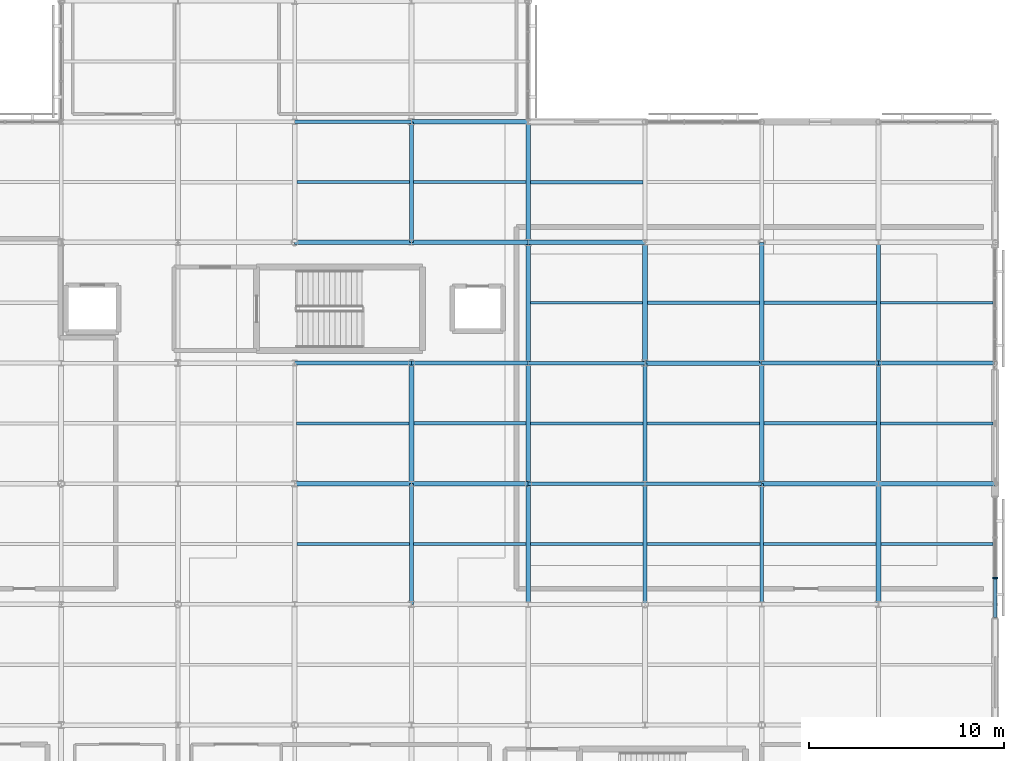
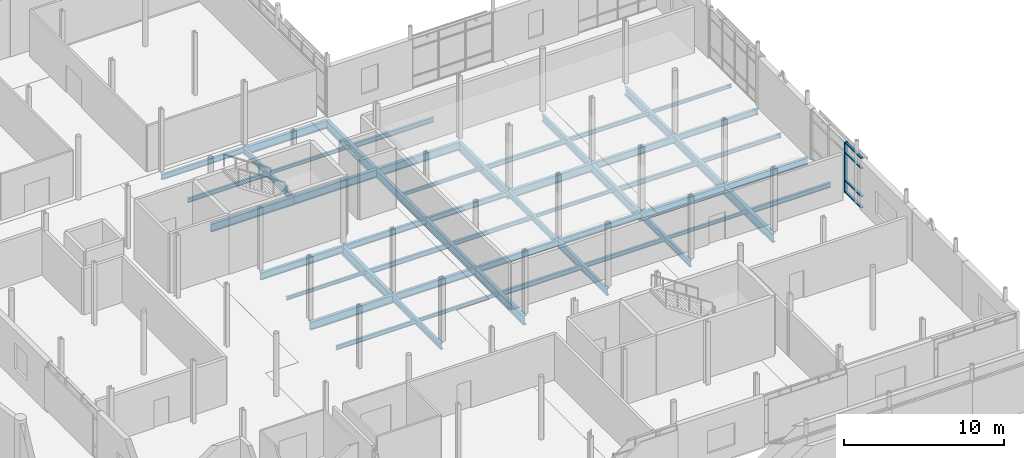
# One storey, part 44 of 84: 52 beams, 5 members, 1 element without a shape of its own.
"""IFC4 building model written with IfcOpenShell, lengths in metres."""

from ifc_helpers import new_model, si_unit, direction, frame, origin, origin_2d, place, context, subcontext, project, spatial, rectangle, i_section, extrude, material, layer, layer_set, material_profile, profile_set, type_object, element, aggregate, save


model = new_model("IFC4")

# Units and contexts
model_context = context("Model", 3, precision=1e-05, world=origin(), true_north=direction((0.0, 1.0)))
body_context = subcontext(model_context, "Body", "Model", "MODEL_VIEW")
ifc_project = project(units=[si_unit("LENGTHUNIT", "METRE"), si_unit("AREAUNIT", "SQUARE_METRE"), si_unit("VOLUMEUNIT", "CUBIC_METRE"), si_unit("PLANEANGLEUNIT", "RADIAN"), si_unit("MASSUNIT", "GRAM", prefix="KILO")], contexts=[model_context])

# Site, building, storey
site_placement = place(None, origin())
site = spatial("IfcSite", under=ifc_project, at=site_placement, CompositionType="ELEMENT")
building_placement = place(site_placement, origin())
building = spatial("IfcBuilding", under=site, at=building_placement, Name="Mirzam Square Science Centre", CompositionType="ELEMENT")
storey_placement = place(building_placement, frame((0.0, 0.0, 10.800048828125)))
storey = spatial("IfcBuildingStorey", under=building, at=storey_placement, Name="L02", CompositionType="ELEMENT", Elevation=10.800048828125)

# Beams
ifc_material_1 = material(Name="Steel S355", Category="steel")
ifc_material_profile_1 = material_profile(ifc_material_1, i_section(OverallWidth=0.1787109375, OverallDepth=0.409423828125, WebThickness=0.0087890625, FlangeThickness=0.014404296875, FilletRadius=0.01025390625, at=origin_2d()), Name="406x178x67UB")
ifc_profile_set_1 = profile_set([ifc_material_profile_1], Name="Steel S355")
beam_type_1 = type_object("IfcBeamType", Name="BM-UB406", PredefinedType="BEAM", material=ifc_profile_set_1)
for number, where, z_axis, x_axis, name in (
    (1, (144.0, 68.199951171875, -0.454833984375), (1.0, 0.0, 0.0), (0.0, 1.0, 0.0), "L02 girder X25-12"),
    (2, (138.0, 74.39990234375, -0.454833984375), (1.0, 0.0, 0.0), (0.0, 1.0, 0.0), "L02 girder X24-13"),
    (3, (126.0, 86.800048828125, -0.454833984375), (1.0, 0.0, 0.0), (0.0, 1.0, 0.0), "L02 girder X22-15"),
):
    element("IfcBeam", number, at=place(storey_placement, frame(where, z_axis=z_axis, x_axis=x_axis)), inside=storey, type_object=beam_type_1, Name=name, PredefinedType="BEAM", context=body_context, shape_type="SweptSolid", body=[
        extrude(i_section(OverallWidth=0.1787109375, OverallDepth=0.409423828125, WebThickness=0.0087890625, FlangeThickness=0.014404296875, FilletRadius=0.01025390625, at=origin_2d()), origin(), (0.0, 0.0, 1.0), 6.0),
    ])
ifc_material_profile_2 = material_profile(ifc_material_1, i_section(OverallWidth=0.19140625, OverallDepth=0.4599609375, WebThickness=0.010009765625, FlangeThickness=0.01611328125, FilletRadius=0.01025390625, at=origin_2d()), Name="457x191x82UB")
ifc_profile_set_2 = profile_set([ifc_material_profile_2], Name="Steel S355")
beam_type_2 = type_object("IfcBeamType", Name="BM-UB457", PredefinedType="BEAM", material=ifc_profile_set_2)
for number, where, z_axis, x_axis, name in (
    (4, (138.0, 68.199951171875, -0.47998046875), (1.0, 0.0, 0.0), (0.0, 1.0, 0.0), "L02 girder X24-12"),
    (5, (132.0, 74.39990234375, -0.47998046875), (1.0, 0.0, 0.0), (0.0, 1.0, 0.0), "L02 girder X23-13"),
    (6, (156.0, 74.39990234375, -0.47998046875), (1.0, 0.0, 0.0), (0.0, 1.0, 0.0), "L02 girder X27-13"),
):
    element("IfcBeam", number, at=place(storey_placement, frame(where, z_axis=z_axis, x_axis=x_axis)), inside=storey, type_object=beam_type_2, Name=name, PredefinedType="BEAM", context=body_context, shape_type="SweptSolid", body=[
        extrude(i_section(OverallWidth=0.19140625, OverallDepth=0.4599609375, WebThickness=0.010009765625, FlangeThickness=0.01611328125, FilletRadius=0.01025390625, at=origin_2d()), origin(), (0.0, 0.0, 1.0), 6.0),
    ])
for number, where, z_axis, x_axis, name in (
    (7, (132.0, 62.0, -0.47998046875), (0.0, 1.0, 0.0), (-1.0, 0.0, 0.0), "L02 girder Y23-11"),
    (8, (132.0, 80.60009765625, -0.47998046875), (0.0, 1.0, 0.0), (-1.0, 0.0, 0.0), "L02 girder Y23-14"),
    (9, (144.0, 68.199951171875, -0.47998046875), (0.0, 1.0, 0.0), (-1.0, 0.0, 0.0), "L02 girder Y25-12"),
    (10, (150.0, 62.0, -0.47998046875), (0.0, 1.0, 0.0), (-1.0, 0.0, 0.0), "L02 girder Y26-11"),
):
    element("IfcBeam", number, at=place(storey_placement, frame(where, z_axis=z_axis, x_axis=x_axis)), inside=storey, type_object=beam_type_2, Name=name, PredefinedType="BEAM", context=body_context, shape_type="SweptSolid", body=[
        extrude(i_section(OverallWidth=0.19140625, OverallDepth=0.4599609375, WebThickness=0.010009765625, FlangeThickness=0.01611328125, FilletRadius=0.01025390625, at=origin_2d()), origin(), (0.0, 0.0, 1.0), 6.199951171875),
    ])
ifc_material_profile_3 = material_profile(ifc_material_1, i_section(OverallWidth=0.2099609375, OverallDepth=0.53662109375, WebThickness=0.0107421875, FlangeThickness=0.017333984375, FilletRadius=0.0126953125, at=origin_2d()), Name="533x210x101UB")
ifc_profile_set_3 = profile_set([ifc_material_profile_3], Name="Steel S355")
beam_type_3 = type_object("IfcBeamType", Name="BM-UB533", PredefinedType="BEAM", material=ifc_profile_set_3)
for number, where, z_axis, x_axis, name in (
    (11, (132.0, 68.199951171875, -0.518310546875), (1.0, 0.0, 0.0), (0.0, 1.0, 0.0), "L02 girder X23-12"),
    (12, (156.0, 68.199951171875, -0.518310546875), (1.0, 0.0, 0.0), (0.0, 1.0, 0.0), "L02 girder X27-12"),
    (13, (126.0, 74.39990234375, -0.518310546875), (1.0, 0.0, 0.0), (0.0, 1.0, 0.0), "L02 girder X22-13"),
    (14, (150.0, 74.39990234375, -0.518310546875), (1.0, 0.0, 0.0), (0.0, 1.0, 0.0), "L02 girder X26-13"),
):
    element("IfcBeam", number, at=place(storey_placement, frame(where, z_axis=z_axis, x_axis=x_axis)), inside=storey, type_object=beam_type_3, Name=name, PredefinedType="BEAM", context=body_context, shape_type="SweptSolid", body=[
        extrude(i_section(OverallWidth=0.2099609375, OverallDepth=0.53662109375, WebThickness=0.0107421875, FlangeThickness=0.017333984375, FilletRadius=0.0126953125, at=origin_2d()), origin(), (0.0, 0.0, 1.0), 6.0),
    ])
beam_1_placement = place(storey_placement, frame((144.0, 62.0, -0.518310546875), z_axis=(0.0, 1.0, 0.0), x_axis=(-1.0, 0.0, 0.0)))
element("IfcBeam", 15, at=beam_1_placement, inside=storey, type_object=beam_type_3, Name="L02 girder Y25-11", PredefinedType="BEAM", context=body_context, shape_type="SweptSolid", body=[
    extrude(i_section(OverallWidth=0.2099609375, OverallDepth=0.53662109375, WebThickness=0.0107421875, FlangeThickness=0.017333984375, FilletRadius=0.0126953125, at=origin_2d()), origin(), (0.0, 0.0, 1.0), 6.199951171875),
])
beam_2_placement = place(storey_placement, frame((150.0, 74.39990234375, -0.518310546875), z_axis=(0.0, 1.0, 0.0), x_axis=(-1.0, 0.0, 0.0)))
element("IfcBeam", 16, at=beam_2_placement, inside=storey, type_object=beam_type_3, Name="L02 girder Y26-13", PredefinedType="BEAM", context=body_context, shape_type="SweptSolid", body=[
    extrude(i_section(OverallWidth=0.2099609375, OverallDepth=0.53662109375, WebThickness=0.0107421875, FlangeThickness=0.017333984375, FilletRadius=0.0126953125, at=origin_2d()), origin(), (0.0, 0.0, 1.0), 6.2001953125),
])
ifc_material_profile_4 = material_profile(ifc_material_1, i_section(OverallWidth=0.22900390625, OverallDepth=0.6123046875, WebThickness=0.011962890625, FlangeThickness=0.01953125, FilletRadius=0.0126953125, at=origin_2d()), Name="610x229x125UB")
ifc_profile_set_4 = profile_set([ifc_material_profile_4], Name="Steel S355")
beam_type_4 = type_object("IfcBeamType", Name="BM-UB610", PredefinedType="BEAM", material=ifc_profile_set_4)
for number, where, z_axis, x_axis, name in (
    (17, (126.0, 68.199951171875, -0.55615234375), (1.0, 0.0, 0.0), (0.0, 1.0, 0.0), "L02 girder X22-12"),
    (18, (150.0, 68.199951171875, -0.55615234375), (1.0, 0.0, 0.0), (0.0, 1.0, 0.0), "L02 girder X26-12"),
    (19, (144.0, 74.39990234375, -0.55615234375), (1.0, 0.0, 0.0), (0.0, 1.0, 0.0), "L02 girder X25-13"),
    (20, (126.0, 80.60009765625, -0.55615234375), (1.0, 0.0, 0.0), (0.0, 1.0, 0.0), "L02 girder X22-14"),
    (21, (132.0, 80.60009765625, -0.55615234375), (1.0, 0.0, 0.0), (0.0, 1.0, 0.0), "L02 girder X23-14"),
    (22, (138.0, 80.60009765625, -0.55615234375), (1.0, 0.0, 0.0), (0.0, 1.0, 0.0), "L02 girder X24-14"),
    (23, (132.0, 86.800048828125, -0.55615234375), (1.0, 0.0, 0.0), (0.0, 1.0, 0.0), "L02 girder X23-15"),
):
    element("IfcBeam", number, at=place(storey_placement, frame(where, z_axis=z_axis, x_axis=x_axis)), inside=storey, type_object=beam_type_4, Name=name, PredefinedType="BEAM", context=body_context, shape_type="SweptSolid", body=[
        extrude(i_section(OverallWidth=0.22900390625, OverallDepth=0.6123046875, WebThickness=0.011962890625, FlangeThickness=0.01953125, FilletRadius=0.0126953125, at=origin_2d()), origin(), (0.0, 0.0, 1.0), 6.0),
    ])
beam_3_placement = place(storey_placement, frame((138.0, 68.199951171875, -0.55615234375), z_axis=(0.0, 1.0, 0.0), x_axis=(-1.0, 0.0, 0.0)))
element("IfcBeam", 24, at=beam_3_placement, inside=storey, type_object=beam_type_4, Name="L02 girder Y24-12", PredefinedType="BEAM", context=body_context, shape_type="SweptSolid", body=[
    extrude(i_section(OverallWidth=0.22900390625, OverallDepth=0.6123046875, WebThickness=0.011962890625, FlangeThickness=0.01953125, FilletRadius=0.0126953125, at=origin_2d()), origin(), (0.0, 0.0, 1.0), 6.199951171875),
])
beam_4_placement = place(storey_placement, frame((138.0, 74.39990234375, -0.55615234375), z_axis=(0.0, 1.0, 0.0), x_axis=(-1.0, 0.0, 0.0)))
element("IfcBeam", 25, at=beam_4_placement, inside=storey, type_object=beam_type_4, Name="L02 girder Y24-13", PredefinedType="BEAM", context=body_context, shape_type="SweptSolid", body=[
    extrude(i_section(OverallWidth=0.22900390625, OverallDepth=0.6123046875, WebThickness=0.011962890625, FlangeThickness=0.01953125, FilletRadius=0.0126953125, at=origin_2d()), origin(), (0.0, 0.0, 1.0), 6.2001953125),
])
beam_5_placement = place(storey_placement, frame((156.0, 68.199951171875, -0.55615234375), z_axis=(0.0, 1.0, 0.0), x_axis=(-1.0, 0.0, 0.0)))
element("IfcBeam", 26, at=beam_5_placement, inside=storey, type_object=beam_type_4, Name="L02 girder Y27-12", PredefinedType="BEAM", context=body_context, shape_type="SweptSolid", body=[
    extrude(i_section(OverallWidth=0.22900390625, OverallDepth=0.6123046875, WebThickness=0.011962890625, FlangeThickness=0.01953125, FilletRadius=0.0126953125, at=origin_2d()), origin(), (0.0, 0.0, 1.0), 6.199951171875),
])
beam_6_placement = place(storey_placement, frame((156.0, 74.39990234375, -0.55615234375), z_axis=(0.0, 1.0, 0.0), x_axis=(-1.0, 0.0, 0.0)))
element("IfcBeam", 27, at=beam_6_placement, inside=storey, type_object=beam_type_4, Name="L02 girder Y27-13", PredefinedType="BEAM", context=body_context, shape_type="SweptSolid", body=[
    extrude(i_section(OverallWidth=0.22900390625, OverallDepth=0.6123046875, WebThickness=0.011962890625, FlangeThickness=0.01953125, FilletRadius=0.0126953125, at=origin_2d()), origin(), (0.0, 0.0, 1.0), 6.2001953125),
])
ifc_material_profile_5 = material_profile(ifc_material_1, i_section(OverallWidth=0.25439453125, OverallDepth=0.6875, WebThickness=0.01318359375, FlangeThickness=0.02099609375, FilletRadius=0.01513671875, at=origin_2d()), Name="686x254x152UB")
ifc_profile_set_5 = profile_set([ifc_material_profile_5], Name="Steel S355")
beam_type_5 = type_object("IfcBeamType", Name="BM-UB686", PredefinedType="BEAM", material=ifc_profile_set_5)
for number, where, z_axis, x_axis, name in (
    (28, (132.0, 68.199951171875, -0.59375), (0.0, 1.0, 0.0), (-1.0, 0.0, 0.0), "L02 girder Y23-12"),
    (29, (138.0, 62.0, -0.59375), (0.0, 1.0, 0.0), (-1.0, 0.0, 0.0), "L02 girder Y24-11"),
    (30, (138.0, 80.60009765625, -0.59375), (0.0, 1.0, 0.0), (-1.0, 0.0, 0.0), "L02 girder Y24-14"),
):
    element("IfcBeam", number, at=place(storey_placement, frame(where, z_axis=z_axis, x_axis=x_axis)), inside=storey, type_object=beam_type_5, Name=name, PredefinedType="BEAM", context=body_context, shape_type="SweptSolid", body=[
        extrude(i_section(OverallWidth=0.25439453125, OverallDepth=0.6875, WebThickness=0.01318359375, FlangeThickness=0.02099609375, FilletRadius=0.01513671875, at=origin_2d()), origin(), (0.0, 0.0, 1.0), 6.199951171875),
    ])
beam_7_placement = place(storey_placement, frame((144.0, 74.39990234375, -0.59375), z_axis=(0.0, 1.0, 0.0), x_axis=(-1.0, 0.0, 0.0)))
element("IfcBeam", 31, at=beam_7_placement, inside=storey, type_object=beam_type_5, Name="L02 girder Y25-13", PredefinedType="BEAM", context=body_context, shape_type="SweptSolid", body=[
    extrude(i_section(OverallWidth=0.25439453125, OverallDepth=0.6875, WebThickness=0.01318359375, FlangeThickness=0.02099609375, FilletRadius=0.01513671875, at=origin_2d()), origin(), (0.0, 0.0, 1.0), 6.2001953125),
])
for number, where, z_axis, x_axis, name in (
    (32, (150.0, 68.199951171875, -0.59375), (0.0, 1.0, 0.0), (-1.0, 0.0, 0.0), "L02 girder Y26-12"),
    (33, (156.0, 62.0, -0.59375), (0.0, 1.0, 0.0), (-1.0, 0.0, 0.0), "L02 girder Y27-11"),
):
    element("IfcBeam", number, at=place(storey_placement, frame(where, z_axis=z_axis, x_axis=x_axis)), inside=storey, type_object=beam_type_5, Name=name, PredefinedType="BEAM", context=body_context, shape_type="SweptSolid", body=[
        extrude(i_section(OverallWidth=0.25439453125, OverallDepth=0.6875, WebThickness=0.01318359375, FlangeThickness=0.02099609375, FilletRadius=0.01513671875, at=origin_2d()), origin(), (0.0, 0.0, 1.0), 6.199951171875),
    ])

# Curtain wall, members
ifc_material_2 = material(Name="Anodised Aluminium and Low-E Solar Glass", Category="aluminium")
ifc_layer = layer(ifc_material_2, 0.239990234375)
ifc_layer_set = layer_set([ifc_layer], Name="CW-EAST-B")
curtain_wall_type = type_object("IfcCurtainWallType", Name="CW-EAST-B", PredefinedType="USERDEFINED", material=ifc_layer_set)
curtain_wall_placement = place(storey_placement, origin())
curtain_wall = element("IfcCurtainWall", 34, at=curtain_wall_placement, inside=storey, type_object=curtain_wall_type, Name="L02 unitised curtain wall 105", ObjectType="UNITISED CURTAIN WALL", PredefinedType="USERDEFINED")
ifc_material_3 = material(Name="Anodised Architectural Aluminium 6063-T6", Category="aluminium")
ifc_material_profile_6 = material_profile(ifc_material_3, rectangle(XDim=0.074951171875, YDim=0.239990234375, at=origin_2d()), Name="ALU-MULL-240x75x5")
ifc_profile_set_6 = profile_set([ifc_material_profile_6], Name="Anodised Architectural Aluminium 6063-T6")
member_type_1 = type_object("IfcMemberType", Name="CWM-240", PredefinedType="MULLION", material=ifc_profile_set_6)
member_1_placement = place(storey_placement, frame((162.0, 63.3515625, 0.0), z_axis=(0.0, 0.0, 1.0), x_axis=(0.0, 1.0, 0.0)))
member_1 = element("IfcMember", 35, at=member_1_placement, type_object=member_type_1, Name="CW-06 mullion 2", PredefinedType="MULLION", context=body_context, shape_type="SweptSolid", body=[
    extrude(rectangle(XDim=0.074951171875, YDim=0.239990234375, at=origin_2d()), origin(), (0.0, 0.0, 1.0), 3.83984375),
])
ifc_material_profile_7 = material_profile(ifc_material_3, rectangle(XDim=0.179931640625, YDim=0.074951171875, at=origin_2d()), Name="ALU-TRAN-180x75x5")
ifc_profile_set_7 = profile_set([ifc_material_profile_7], Name="Anodised Architectural Aluminium 6063-T6")
member_type_2 = type_object("IfcMemberType", Name="CWT-180", PredefinedType="USERDEFINED", material=ifc_profile_set_7)
member_2_placement = place(storey_placement, frame((162.0, 61.330078125, 0.037353515625), z_axis=(0.0, 1.0, 0.0), x_axis=(-1.0, 0.0, 0.0)))
member_2 = element("IfcMember", 36, at=member_2_placement, type_object=member_type_2, Name="CW-06 transom 1.1", ObjectType="TRANSOM", PredefinedType="USERDEFINED", context=body_context, shape_type="SweptSolid", body=[
    extrude(rectangle(XDim=0.179931640625, YDim=0.074951171875, at=origin_2d()), origin(), (0.0, 0.0, 1.0), 1.984130859375),
])
member_3_placement = place(storey_placement, frame((162.0, 61.330078125, 0.89990234375), z_axis=(0.0, 1.0, 0.0), x_axis=(-1.0, 0.0, 0.0)))
member_3 = element("IfcMember", 37, at=member_3_placement, type_object=member_type_2, Name="CW-06 transom 1.2", ObjectType="TRANSOM", PredefinedType="USERDEFINED", context=body_context, shape_type="SweptSolid", body=[
    extrude(rectangle(XDim=0.179931640625, YDim=0.074951171875, at=origin_2d()), origin(), (0.0, 0.0, 1.0), 1.984130859375),
])
member_4_placement = place(storey_placement, frame((162.0, 61.330078125, 3.0400390625), z_axis=(0.0, 1.0, 0.0), x_axis=(-1.0, 0.0, 0.0)))
member_4 = element("IfcMember", 38, at=member_4_placement, type_object=member_type_2, Name="CW-06 transom 1.3", ObjectType="TRANSOM", PredefinedType="USERDEFINED", context=body_context, shape_type="SweptSolid", body=[
    extrude(rectangle(XDim=0.179931640625, YDim=0.074951171875, at=origin_2d()), origin(), (0.0, 0.0, 1.0), 1.984130859375),
])
member_5_placement = place(storey_placement, frame((162.0, 61.330078125, 3.802490234375), z_axis=(0.0, 1.0, 0.0), x_axis=(-1.0, 0.0, 0.0)))
member_5 = element("IfcMember", 39, at=member_5_placement, type_object=member_type_2, Name="CW-06 transom 1.4", ObjectType="TRANSOM", PredefinedType="USERDEFINED", context=body_context, shape_type="SweptSolid", body=[
    extrude(rectangle(XDim=0.179931640625, YDim=0.074951171875, at=origin_2d()), origin(), (0.0, 0.0, 1.0), 1.984130859375),
])
aggregate(curtain_wall, [member_1, member_2, member_3, member_4, member_5])

# Beams
ifc_material_profile_8 = material_profile(ifc_material_1, i_section(OverallWidth=0.146484375, OverallDepth=0.256103515625, WebThickness=0.00634765625, FlangeThickness=0.010986328125, FilletRadius=0.007568359375, at=origin_2d()), Name="254x146x37UB")
ifc_profile_set_8 = profile_set([ifc_material_profile_8], Name="Steel S355")
beam_type_6 = type_object("IfcBeamType", Name="JS-UB254", PredefinedType="JOIST", material=ifc_profile_set_8)
for number, where, z_axis, x_axis, name in (
    (40, (126.095703125, 71.300048828125, -0.3779296875), (1.0, 0.0, 0.0), (0.0, 1.0, 0.0), "L02 composite joist 22-12"),
    (41, (132.095703125, 65.10009765625, -0.3779296875), (1.0, 0.0, 0.0), (0.0, 1.0, 0.0), "L02 composite joist 23-11"),
    (42, (132.095703125, 83.699951171875, -0.3779296875), (1.0, 0.0, 0.0), (0.0, 1.0, 0.0), "L02 composite joist 23-14"),
):
    element("IfcBeam", number, at=place(storey_placement, frame(where, z_axis=z_axis, x_axis=x_axis)), inside=storey, type_object=beam_type_6, Name=name, PredefinedType="JOIST", context=body_context, shape_type="SweptSolid", body=[
        extrude(i_section(OverallWidth=0.146484375, OverallDepth=0.256103515625, WebThickness=0.00634765625, FlangeThickness=0.010986328125, FilletRadius=0.007568359375, at=origin_2d()), origin(), (0.0, 0.0, 1.0), 5.777099609375),
    ])
beam_8_placement = place(storey_placement, frame((138.114501953125, 77.5, -0.3779296875), z_axis=(1.0, 0.0, 0.0), x_axis=(0.0, 1.0, 0.0)))
element("IfcBeam", 43, at=beam_8_placement, inside=storey, type_object=beam_type_6, Name="L02 composite joist 24-13", PredefinedType="JOIST", context=body_context, shape_type="SweptSolid", body=[
    extrude(i_section(OverallWidth=0.146484375, OverallDepth=0.256103515625, WebThickness=0.00634765625, FlangeThickness=0.010986328125, FilletRadius=0.007568359375, at=origin_2d()), origin(), (0.0, 0.0, 1.0), 5.75830078125),
])
for number, where, z_axis, x_axis, name in (
    (44, (144.095703125, 71.300048828125, -0.3779296875), (1.0, 0.0, 0.0), (0.0, 1.0, 0.0), "L02 composite joist 25-12"),
    (45, (150.095703125, 65.10009765625, -0.3779296875), (1.0, 0.0, 0.0), (0.0, 1.0, 0.0), "L02 composite joist 26-11"),
):
    element("IfcBeam", number, at=place(storey_placement, frame(where, z_axis=z_axis, x_axis=x_axis)), inside=storey, type_object=beam_type_6, Name=name, PredefinedType="JOIST", context=body_context, shape_type="SweptSolid", body=[
        extrude(i_section(OverallWidth=0.146484375, OverallDepth=0.256103515625, WebThickness=0.00634765625, FlangeThickness=0.010986328125, FilletRadius=0.007568359375, at=origin_2d()), origin(), (0.0, 0.0, 1.0), 5.777099609375),
    ])
beam_9_placement = place(storey_placement, frame((156.114501953125, 77.5, -0.3779296875), z_axis=(1.0, 0.0, 0.0), x_axis=(0.0, 1.0, 0.0)))
element("IfcBeam", 46, at=beam_9_placement, inside=storey, type_object=beam_type_6, Name="L02 composite joist 27-13", PredefinedType="JOIST", context=body_context, shape_type="SweptSolid", body=[
    extrude(i_section(OverallWidth=0.146484375, OverallDepth=0.256103515625, WebThickness=0.00634765625, FlangeThickness=0.010986328125, FilletRadius=0.007568359375, at=origin_2d()), origin(), (0.0, 0.0, 1.0), 5.760498046875),
])
ifc_material_profile_9 = material_profile(ifc_material_1, i_section(OverallWidth=0.165771484375, OverallDepth=0.306640625, WebThickness=0.006591796875, FlangeThickness=0.01171875, FilletRadius=0.0087890625, at=origin_2d()), Name="305x165x46UB")
ifc_profile_set_9 = profile_set([ifc_material_profile_9], Name="Steel S355")
beam_type_7 = type_object("IfcBeamType", Name="JS-UB305", PredefinedType="JOIST", material=ifc_profile_set_9)
for number, where, z_axis, x_axis, name in (
    (47, (126.10498046875, 65.10009765625, -0.4033203125), (1.0, 0.0, 0.0), (0.0, 1.0, 0.0), "L02 composite joist 22-11"),
    (48, (126.10498046875, 83.699951171875, -0.4033203125), (1.0, 0.0, 0.0), (0.0, 1.0, 0.0), "L02 composite joist 22-14"),
):
    element("IfcBeam", number, at=place(storey_placement, frame(where, z_axis=z_axis, x_axis=x_axis)), inside=storey, type_object=beam_type_7, Name=name, PredefinedType="JOIST", context=body_context, shape_type="SweptSolid", body=[
        extrude(i_section(OverallWidth=0.165771484375, OverallDepth=0.306640625, WebThickness=0.006591796875, FlangeThickness=0.01171875, FilletRadius=0.0087890625, at=origin_2d()), origin(), (0.0, 0.0, 1.0), 5.79931640625),
    ])
beam_10_placement = place(storey_placement, frame((138.114501953125, 71.300048828125, -0.4033203125), z_axis=(1.0, 0.0, 0.0), x_axis=(0.0, 1.0, 0.0)))
element("IfcBeam", 49, at=beam_10_placement, inside=storey, type_object=beam_type_7, Name="L02 composite joist 24-12", PredefinedType="JOIST", context=body_context, shape_type="SweptSolid", body=[
    extrude(i_section(OverallWidth=0.165771484375, OverallDepth=0.306640625, WebThickness=0.006591796875, FlangeThickness=0.01171875, FilletRadius=0.0087890625, at=origin_2d()), origin(), (0.0, 0.0, 1.0), 5.789794921875),
])
beam_11_placement = place(storey_placement, frame((144.10498046875, 65.10009765625, -0.4033203125), z_axis=(1.0, 0.0, 0.0), x_axis=(0.0, 1.0, 0.0)))
element("IfcBeam", 50, at=beam_11_placement, inside=storey, type_object=beam_type_7, Name="L02 composite joist 25-11", PredefinedType="JOIST", context=body_context, shape_type="SweptSolid", body=[
    extrude(i_section(OverallWidth=0.165771484375, OverallDepth=0.306640625, WebThickness=0.006591796875, FlangeThickness=0.01171875, FilletRadius=0.0087890625, at=origin_2d()), origin(), (0.0, 0.0, 1.0), 5.79931640625),
])
beam_12_placement = place(storey_placement, frame((150.10498046875, 77.5, -0.4033203125), z_axis=(1.0, 0.0, 0.0), x_axis=(0.0, 1.0, 0.0)))
element("IfcBeam", 51, at=beam_12_placement, inside=storey, type_object=beam_type_7, Name="L02 composite joist 26-13", PredefinedType="JOIST", context=body_context, shape_type="SweptSolid", body=[
    extrude(i_section(OverallWidth=0.165771484375, OverallDepth=0.306640625, WebThickness=0.006591796875, FlangeThickness=0.01171875, FilletRadius=0.0087890625, at=origin_2d()), origin(), (0.0, 0.0, 1.0), 5.780517578125),
])
beam_13_placement = place(storey_placement, frame((156.114501953125, 71.300048828125, -0.4033203125), z_axis=(1.0, 0.0, 0.0), x_axis=(0.0, 1.0, 0.0)))
element("IfcBeam", 52, at=beam_13_placement, inside=storey, type_object=beam_type_7, Name="L02 composite joist 27-12", PredefinedType="JOIST", context=body_context, shape_type="SweptSolid", body=[
    extrude(i_section(OverallWidth=0.165771484375, OverallDepth=0.306640625, WebThickness=0.006591796875, FlangeThickness=0.01171875, FilletRadius=0.0087890625, at=origin_2d()), origin(), (0.0, 0.0, 1.0), 5.760498046875),
])
ifc_material_profile_10 = material_profile(ifc_material_1, i_section(OverallWidth=0.172119140625, OverallDepth=0.35791015625, WebThickness=0.008056640625, FlangeThickness=0.012939453125, FilletRadius=0.01025390625, at=origin_2d()), Name="356x171x57UB")
ifc_profile_set_10 = profile_set([ifc_material_profile_10], Name="Steel S355")
beam_type_8 = type_object("IfcBeamType", Name="JS-UB356", PredefinedType="JOIST", material=ifc_profile_set_10)
beam_14_placement = place(storey_placement, frame((132.127197265625, 71.300048828125, -0.428955078125), z_axis=(1.0, 0.0, 0.0), x_axis=(0.0, 1.0, 0.0)))
element("IfcBeam", 53, at=beam_14_placement, inside=storey, type_object=beam_type_8, Name="L02 composite joist 23-12", PredefinedType="JOIST", context=body_context, shape_type="SweptSolid", body=[
    extrude(i_section(OverallWidth=0.172119140625, OverallDepth=0.35791015625, WebThickness=0.008056640625, FlangeThickness=0.012939453125, FilletRadius=0.01025390625, at=origin_2d()), origin(), (0.0, 0.0, 1.0), 5.75830078125),
])
for number, where, z_axis, x_axis, name in (
    (54, (138.127197265625, 65.10009765625, -0.428955078125), (1.0, 0.0, 0.0), (0.0, 1.0, 0.0), "L02 composite joist 24-11"),
    (55, (138.127197265625, 83.699951171875, -0.428955078125), (1.0, 0.0, 0.0), (0.0, 1.0, 0.0), "L02 composite joist 24-14"),
    (56, (144.127197265625, 77.5, -0.428955078125), (1.0, 0.0, 0.0), (0.0, 1.0, 0.0), "L02 composite joist 25-13"),
):
    element("IfcBeam", number, at=place(storey_placement, frame(where, z_axis=z_axis, x_axis=x_axis)), inside=storey, type_object=beam_type_8, Name=name, PredefinedType="JOIST", context=body_context, shape_type="SweptSolid", body=[
        extrude(i_section(OverallWidth=0.172119140625, OverallDepth=0.35791015625, WebThickness=0.008056640625, FlangeThickness=0.012939453125, FilletRadius=0.01025390625, at=origin_2d()), origin(), (0.0, 0.0, 1.0), 5.767822265625),
    ])
beam_15_placement = place(storey_placement, frame((150.127197265625, 71.300048828125, -0.428955078125), z_axis=(1.0, 0.0, 0.0), x_axis=(0.0, 1.0, 0.0)))
element("IfcBeam", 57, at=beam_15_placement, inside=storey, type_object=beam_type_8, Name="L02 composite joist 26-12", PredefinedType="JOIST", context=body_context, shape_type="SweptSolid", body=[
    extrude(i_section(OverallWidth=0.172119140625, OverallDepth=0.35791015625, WebThickness=0.008056640625, FlangeThickness=0.012939453125, FilletRadius=0.01025390625, at=origin_2d()), origin(), (0.0, 0.0, 1.0), 5.75830078125),
])
beam_16_placement = place(storey_placement, frame((156.127197265625, 65.10009765625, -0.428955078125), z_axis=(1.0, 0.0, 0.0), x_axis=(0.0, 1.0, 0.0)))
element("IfcBeam", 58, at=beam_16_placement, inside=storey, type_object=beam_type_8, Name="L02 composite joist 27-11", PredefinedType="JOIST", context=body_context, shape_type="SweptSolid", body=[
    extrude(i_section(OverallWidth=0.172119140625, OverallDepth=0.35791015625, WebThickness=0.008056640625, FlangeThickness=0.012939453125, FilletRadius=0.01025390625, at=origin_2d()), origin(), (0.0, 0.0, 1.0), 5.747802734375),
])

save(model, "model.ifc")
